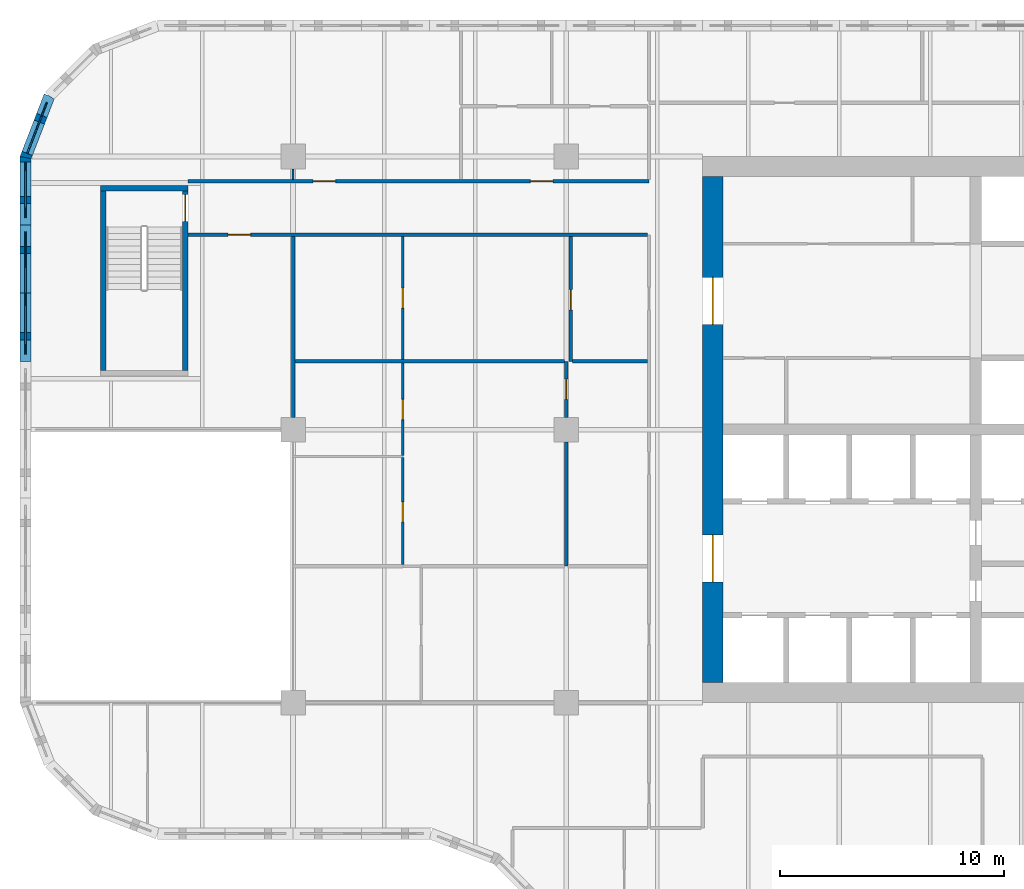
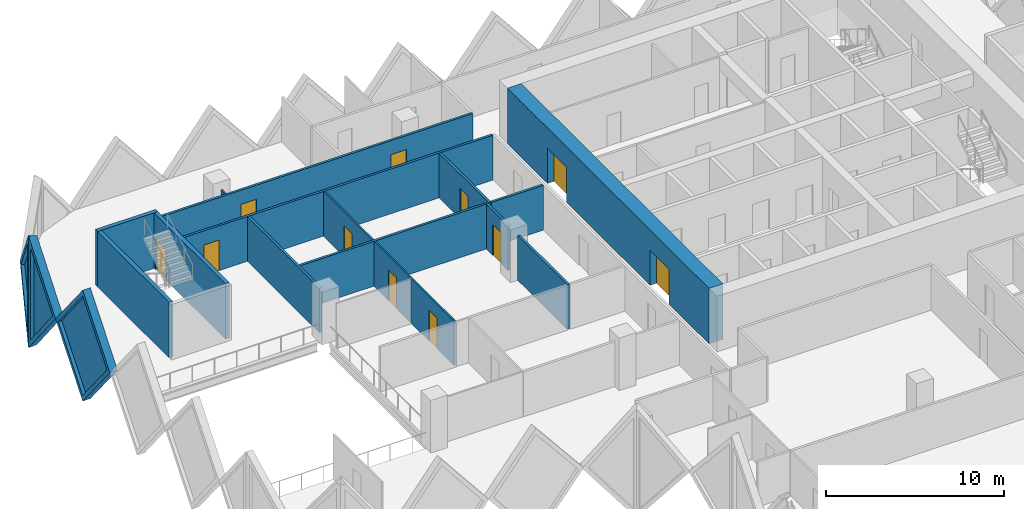
# One storey, part 8 of 19: 19 walls, 11 doors, 3 plates, 14 openings.
"""IFC4 building model written with IfcOpenShell, lengths in metres."""

from ifc_helpers import new_model, si_unit, direction, frame, frame_2d, origin, place, context, subcontext, project, spatial, polyline, rectangle, outline, extrude, faceted_brep, source, transform, mapped, material, layer, layer_set, type_object, element, fill, save


model = new_model("IFC4")

# Units and contexts
model_context = context("Model", 3, precision=1e-05, world=origin(), true_north=direction((0.0, 1.0)))
body_context = subcontext(model_context, "Body", "Model", "MODEL_VIEW")
ifc_project = project(units=[si_unit("LENGTHUNIT", "METRE"), si_unit("AREAUNIT", "SQUARE_METRE"), si_unit("VOLUMEUNIT", "CUBIC_METRE"), si_unit("PLANEANGLEUNIT", "RADIAN"), si_unit("MASSUNIT", "GRAM", prefix="KILO")], contexts=[model_context])

# Site, building, storey
site_placement = place(None, origin())
site = spatial("IfcSite", under=ifc_project, at=site_placement, CompositionType="ELEMENT")
building_placement = place(site_placement, origin())
building = spatial("IfcBuilding", under=site, at=building_placement, Name="Tessera Gate Towers", CompositionType="ELEMENT")
storey_placement = place(building_placement, frame((0.0, 0.0, 29.60009765625)))
storey = spatial("IfcBuildingStorey", under=building, at=storey_placement, Name="L06", CompositionType="ELEMENT", Elevation=29.60009765625)

# Walls
ifc_material_1 = material(Name="Concrete C40/50", Category="concrete")
ifc_layer_1 = layer(ifc_material_1, 0.25)
ifc_layer_set_1 = layer_set([ifc_layer_1], Name="CORE ENCLOSURE WALL 250")
wall_type_1 = type_object("IfcWallType", Name="CORE ENCLOSURE WALL 250", PredefinedType="SOLIDWALL", material=ifc_layer_set_1)
wall_1_placement = place(storey_placement, frame((3.72509765625, 39.25, 0.0), z_axis=(0.0, 0.0, 1.0), x_axis=(0.0, 1.0, 0.0)))
element("IfcWall", 1, at=wall_1_placement, inside=storey, type_object=wall_type_1, Name="L06 ST3 enclosure wall", PredefinedType="SOLIDWALL", context=body_context, shape_type="SweptSolid", body=[
    extrude(rectangle(XDim=8.0, YDim=0.25, at=frame_2d((4.0, 0.0))), origin(), (0.0, 0.0, 1.0), 3.7998046875),
])
wall_2_placement = place(storey_placement, frame((3.60009765625, 47.375, 0.0), z_axis=(0.0, 0.0, 1.0), x_axis=(1.0, 0.0, 0.0)))
element("IfcWall", 2, at=wall_2_placement, inside=storey, type_object=wall_type_1, Name="L06 ST3 enclosure wall", PredefinedType="SOLIDWALL", context=body_context, shape_type="SweptSolid", body=[
    extrude(rectangle(XDim=3.89990234375, YDim=0.25, at=frame_2d((1.949951171875, 0.0))), origin(), (0.0, 0.0, 1.0), 3.7998046875),
])

# Wall, opening, door
wall_3_placement = place(storey_placement, frame((7.375, 47.25, 0.0), z_axis=(0.0, 0.0, 1.0), x_axis=(0.0, -1.0, 0.0)))
wall_3 = element("IfcWall", 3, at=wall_3_placement, inside=storey, type_object=wall_type_1, Name="L06 ST3 enclosure wall", PredefinedType="SOLIDWALL", context=body_context, shape_type="SweptSolid", body=[
    extrude(rectangle(XDim=8.0, YDim=0.25, at=frame_2d((4.0, 0.0))), origin(), (0.0, 0.0, 1.0), 3.7998046875),
])
shared_shape_1 = source(origin(), body_context, "Body", "SweptSolid", [
    extrude(rectangle(XDim=1.199951171875, YDim=2.10009765625, at=frame_2d((0.60009765625, 1.050048828125))), frame((0.0, 0.135009765625, 0.0), z_axis=(0.0, -1.0, 0.0), x_axis=(1.0, 0.0, 0.0)), (0.0, 0.0, 1.0), 0.27001953125),
])
opening_1_placement = place(wall_3_placement, frame((0.14990234375, 0.0, 0.0)))
opening_1 = element("IfcOpeningElement", 4, at=opening_1_placement, cuts=wall_3, Name="Opening SD-ST3-1", PredefinedType="OPENING", context=body_context, shape_type="MappedRepresentation", body=[
    mapped(shared_shape_1, transform((0.0, 0.0, 0.0), scale=1.0)),
])
ifc_material_2 = material(Name="Hollow steel fire door", Category="steel")
door_type_1 = type_object("IfcDoorType", Name="CORE DOOR SD 1200x2100", OperationType="NOTDEFINED", PredefinedType="DOOR", material=ifc_material_2)
shared_shape_2 = source(origin(), body_context, "Body", "SweptSolid", [
    extrude(rectangle(XDim=1.199951171875, YDim=2.10009765625, at=frame_2d((0.60009765625, 1.050048828125))), frame((0.0, 0.02490234375, 0.0), z_axis=(0.0, -1.0, 0.0), x_axis=(1.0, 0.0, 0.0)), (0.0, 0.0, 1.0), 0.050048828125),
])
door_1_placement = place(opening_1_placement, origin())
door_1 = element("IfcDoor", 5, at=door_1_placement, inside=storey, type_object=door_type_1, Name="Stair door", OperationType="SINGLE_SWING_LEFT", OverallHeight=2.10009765625, OverallWidth=1.199951171875, PredefinedType="DOOR", context=body_context, shape_type="MappedRepresentation", body=[
    mapped(shared_shape_2, transform((0.0, 0.0, 0.0), scale=1.0)),
])
fill(opening_1, door_1)

# Wall, openings, doors
ifc_material_3 = material(Name="Concrete C70/85", Category="concrete")
ifc_layer_2 = layer(ifc_material_3, 0.89990234375)
ifc_layer_set_2 = layer_set([ifc_layer_2], Name="CORE SHEAR WALL 900 C70/85")
wall_type_2 = type_object("IfcWallType", Name="CORE SHEAR WALL 900 C70/85", PredefinedType="SHEAR", material=ifc_layer_set_2)
wall_4_placement = place(storey_placement, frame((30.949951171875, 25.300048828125, 0.0), z_axis=(0.0, 0.0, 1.0), x_axis=(0.0, 1.0, 0.0)))
wall_4 = element("IfcWall", 6, at=wall_4_placement, inside=storey, type_object=wall_type_2, Name="Core wall W L06", PredefinedType="SHEAR", context=body_context, shape_type="SweptSolid", body=[
    extrude(rectangle(XDim=22.599853515625, YDim=0.89990234375, at=frame_2d((11.2998046875, 0.0))), origin(), (0.0, 0.0, 1.0), 3.7998046875),
])
shared_shape_3 = source(origin(), body_context, "Body", "SweptSolid", [
    extrude(rectangle(XDim=2.10009765625, YDim=2.39990234375, at=frame_2d((1.050048828125, 1.199951171875))), frame((0.0, 0.4599609375, 0.0), z_axis=(0.0, -1.0, 0.0), x_axis=(1.0, 0.0, 0.0)), (0.0, 0.0, 1.0), 0.919921875),
])
opening_2_placement = place(wall_4_placement, frame((4.5, 0.0, 0.0)))
opening_2 = element("IfcOpeningElement", 7, at=opening_2_placement, cuts=wall_4, Name="Opening DD-T1-06-02", PredefinedType="OPENING", context=body_context, shape_type="MappedRepresentation", body=[
    mapped(shared_shape_3, transform((0.0, 0.0, 0.0), scale=1.0)),
])
opening_3_placement = place(wall_4_placement, frame((16.0, 0.0, 0.0)))
opening_3 = element("IfcOpeningElement", 8, at=opening_3_placement, cuts=wall_4, Name="Opening DD-T1-06-03", PredefinedType="OPENING", context=body_context, shape_type="MappedRepresentation", body=[
    mapped(shared_shape_3, transform((0.0, 0.0, 0.0), scale=1.0)),
])
ifc_material_4 = material(Name="Hollow steel fire door", Category="steel")
door_type_2 = type_object("IfcDoorType", Name="CORE DOOR DD 2100x2400", OperationType="NOTDEFINED", PredefinedType="DOOR", material=ifc_material_4)
shared_shape_4 = source(origin(), body_context, "Body", "SweptSolid", [
    extrude(rectangle(XDim=2.10009765625, YDim=2.39990234375, at=frame_2d((1.050048828125, 1.199951171875))), frame((0.0, 0.02490234375, 0.0), z_axis=(0.0, -1.0, 0.0), x_axis=(1.0, 0.0, 0.0)), (0.0, 0.0, 1.0), 0.050048828125),
])
door_2_placement = place(opening_2_placement, origin())
door_2 = element("IfcDoor", 9, at=door_2_placement, inside=storey, type_object=door_type_2, Name="Core entrance door", OperationType="DOUBLE_DOOR_SINGLE_SWING", OverallHeight=2.39990234375, OverallWidth=2.10009765625, PredefinedType="DOOR", context=body_context, shape_type="MappedRepresentation", body=[
    mapped(shared_shape_4, transform((0.0, 0.0, 0.0), scale=1.0)),
])
fill(opening_2, door_2)
door_3_placement = place(opening_3_placement, origin())
door_3 = element("IfcDoor", 10, at=door_3_placement, inside=storey, type_object=door_type_2, Name="Core entrance door", OperationType="DOUBLE_DOOR_SINGLE_SWING", OverallHeight=2.39990234375, OverallWidth=2.10009765625, PredefinedType="DOOR", context=body_context, shape_type="MappedRepresentation", body=[
    mapped(shared_shape_4, transform((0.0, 0.0, 0.0), scale=1.0)),
])
fill(opening_3, door_3)

# Wall, opening, door
ifc_material_5 = material(Name="Gypsum board on steel studs, mineral wool", Category="steel")
ifc_layer_3 = layer(ifc_material_5, 0.14990234375)
ifc_layer_set_3 = layer_set([ifc_layer_3], Name="CORRIDOR WALL 150")
wall_type_3 = type_object("IfcWallType", Name="CORRIDOR WALL 150", PredefinedType="PARTITIONING", material=ifc_layer_set_3)
wall_5_placement = place(storey_placement, frame((28.02392578125, 45.300048828125, 0.0), z_axis=(0.0, 0.0, 1.0), x_axis=(-1.0, 0.0, 0.0)))
wall_5 = element("IfcWall", 11, at=wall_5_placement, inside=storey, type_object=wall_type_3, Name="T1-L06-PW-046", PredefinedType="PARTITIONING", context=body_context, shape_type="SweptSolid", body=[
    extrude(rectangle(XDim=20.52392578125, YDim=0.14990234375, at=frame_2d((10.261962890625, 0.0))), origin(), (0.0, 0.0, 1.0), 3.06689453125),
])
shared_shape_5 = source(origin(), body_context, "Body", "SweptSolid", [
    extrude(rectangle(XDim=1.0, YDim=2.10009765625, at=frame_2d((0.5, 1.050048828125))), frame((0.0, 0.0849609375, 0.0), z_axis=(0.0, -1.0, 0.0), x_axis=(1.0, 0.0, 0.0)), (0.0, 0.0, 1.0), 0.169921875),
])
opening_4_placement = place(wall_5_placement, frame((17.72412109375, 0.0, 0.0)))
opening_4 = element("IfcOpeningElement", 12, at=opening_4_placement, cuts=wall_5, Name="Opening D2100FD60-A02-01", PredefinedType="OPENING", context=body_context, shape_type="MappedRepresentation", body=[
    mapped(shared_shape_5, transform((0.0, 0.0, 0.0), scale=1.0)),
])
ifc_material_6 = material(Name="Timber door leaf in steel frame", Category="steel")
door_type_3 = type_object("IfcDoorType", Name="TENANCY ENTRANCE DOOR 1000 FD60", OperationType="NOTDEFINED", PredefinedType="DOOR", material=ifc_material_6)
shared_shape_6 = source(origin(), body_context, "Body", "SweptSolid", [
    extrude(rectangle(XDim=1.0, YDim=2.10009765625, at=frame_2d((0.5, 1.050048828125))), frame((0.0, 0.02490234375, 0.0), z_axis=(0.0, -1.0, 0.0), x_axis=(1.0, 0.0, 0.0)), (0.0, 0.0, 1.0), 0.050048828125),
])
door_4_placement = place(opening_4_placement, origin())
door_4 = element("IfcDoor", 13, at=door_4_placement, inside=storey, type_object=door_type_3, Name="T1-L06-PD-009", OperationType="SINGLE_SWING_RIGHT", OverallHeight=2.10009765625, OverallWidth=1.0, PredefinedType="DOOR", context=body_context, shape_type="MappedRepresentation", body=[
    mapped(shared_shape_6, transform((0.0, 0.0, 0.0), scale=1.0)),
])
fill(opening_4, door_4)

# Wall, openings, doors
wall_6_placement = place(storey_placement, frame((7.5, 47.699951171875, 0.0), z_axis=(0.0, 0.0, 1.0), x_axis=(1.0, 0.0, 0.0)))
wall_6 = element("IfcWall", 14, at=wall_6_placement, inside=storey, type_object=wall_type_3, Name="T1-L06-PW-047", PredefinedType="PARTITIONING", context=body_context, shape_type="SweptSolid", body=[
    extrude(rectangle(XDim=20.60009765625, YDim=0.14990234375, at=frame_2d((10.300048828125, 0.0))), origin(), (0.0, 0.0, 1.0), 3.06689453125),
])
opening_5_placement = place(wall_6_placement, frame((15.301025390625, 0.0, 0.0)))
opening_5 = element("IfcOpeningElement", 15, at=opening_5_placement, cuts=wall_6, Name="Opening D2100FD60-A02-04", PredefinedType="OPENING", context=body_context, shape_type="MappedRepresentation", body=[
    mapped(shared_shape_5, transform((0.0, 0.0, 0.0), scale=1.0)),
])
opening_6_placement = place(wall_6_placement, frame((5.60009765625, 0.0, 0.0)))
opening_6 = element("IfcOpeningElement", 16, at=opening_6_placement, cuts=wall_6, Name="Opening D2100FD60-A02-06", PredefinedType="OPENING", context=body_context, shape_type="MappedRepresentation", body=[
    mapped(shared_shape_5, transform((0.0, 0.0, 0.0), scale=1.0)),
])
door_5_placement = place(opening_5_placement, origin())
door_5 = element("IfcDoor", 17, at=door_5_placement, inside=storey, type_object=door_type_3, Name="T1-L06-PD-024", OperationType="SINGLE_SWING_LEFT", OverallHeight=2.10009765625, OverallWidth=1.0, PredefinedType="DOOR", context=body_context, shape_type="MappedRepresentation", body=[
    mapped(shared_shape_6, transform((0.0, 0.0, 0.0), scale=1.0)),
])
fill(opening_5, door_5)
door_6_placement = place(opening_6_placement, origin())
door_6 = element("IfcDoor", 18, at=door_6_placement, inside=storey, type_object=door_type_3, Name="T1-L06-PD-029", OperationType="SINGLE_SWING_LEFT", OverallHeight=2.10009765625, OverallWidth=1.0, PredefinedType="DOOR", context=body_context, shape_type="MappedRepresentation", body=[
    mapped(shared_shape_6, transform((0.0, 0.0, 0.0), scale=1.0)),
])
fill(opening_6, door_6)

# Wall, opening, door
ifc_material_7 = material(Name="Gypsum board on steel studs", Category="steel")
ifc_layer_4 = layer(ifc_material_7, 0.10009765625)
ifc_layer_set_4 = layer_set([ifc_layer_4], Name="PARTITION 100")
wall_type_4 = type_object("IfcWallType", Name="PARTITION 100", PredefinedType="PARTITIONING", material=ifc_layer_set_4)
wall_7_placement = place(storey_placement, frame((17.10009765625, 30.575927734375, 0.0), z_axis=(0.0, 0.0, 1.0), x_axis=(0.0, 1.0, 0.0)))
wall_7 = element("IfcWall", 19, at=wall_7_placement, inside=storey, type_object=wall_type_4, Name="T1-L06-PW-037", PredefinedType="PARTITIONING", context=body_context, shape_type="SweptSolid", body=[
    extrude(rectangle(XDim=4.768310546875, YDim=0.10009765625, at=frame_2d((2.38427734375, 0.0))), origin(), (0.0, 0.0, 1.0), 3.06689453125),
])
shared_shape_7 = source(origin(), body_context, "Body", "SweptSolid", [
    extrude(rectangle(XDim=0.89990234375, YDim=2.10009765625, at=frame_2d((0.449951171875, 1.050048828125))), frame((0.0, 0.06005859375, 0.0), z_axis=(0.0, -1.0, 0.0), x_axis=(1.0, 0.0, 0.0)), (0.0, 0.0, 1.0), 0.1201171875),
])
opening_7_placement = place(wall_7_placement, frame((1.89990234375, 0.0, 0.0)))
opening_7 = element("IfcOpeningElement", 20, at=opening_7_placement, cuts=wall_7, Name="Opening D190-A02-10", PredefinedType="OPENING", context=body_context, shape_type="MappedRepresentation", body=[
    mapped(shared_shape_7, transform((0.0, 0.0, 0.0), scale=1.0)),
])
ifc_material_8 = material(Name="Timber door leaf in steel frame", Category="steel")
door_type_4 = type_object("IfcDoorType", Name="INTERNAL DOOR 900 NOT RATED", OperationType="NOTDEFINED", PredefinedType="DOOR", material=ifc_material_8)
shared_shape_8 = source(origin(), body_context, "Body", "SweptSolid", [
    extrude(rectangle(XDim=0.89990234375, YDim=2.10009765625, at=frame_2d((0.449951171875, 1.050048828125))), frame((0.0, 0.02490234375, 0.0), z_axis=(0.0, -1.0, 0.0), x_axis=(1.0, 0.0, 0.0)), (0.0, 0.0, 1.0), 0.050048828125),
])
door_7_placement = place(opening_7_placement, origin())
door_7 = element("IfcDoor", 21, at=door_7_placement, inside=storey, type_object=door_type_4, Name="T1-L06-PD-012", OperationType="SINGLE_SWING_LEFT", OverallHeight=2.10009765625, OverallWidth=0.89990234375, PredefinedType="DOOR", context=body_context, shape_type="MappedRepresentation", body=[
    mapped(shared_shape_8, transform((0.0, 0.0, 0.0), scale=1.0)),
])
fill(opening_7, door_7)

wall_8_placement = place(storey_placement, frame((17.10009765625, 35.4462890625, 0.0), z_axis=(0.0, 0.0, 1.0), x_axis=(0.0, 1.0, 0.0)))
wall_8 = element("IfcWall", 22, at=wall_8_placement, inside=storey, type_object=wall_type_4, Name="T1-L06-PW-039", PredefinedType="PARTITIONING", context=body_context, shape_type="SweptSolid", body=[
    extrude(rectangle(XDim=4.127685546875, YDim=0.10009765625, at=frame_2d((2.06396484375, 0.0))), origin(), (0.0, 0.0, 1.0), 3.06689453125),
])
opening_8_placement = place(wall_8_placement, frame((1.60009765625, 0.0, 0.0)))
opening_8 = element("IfcOpeningElement", 23, at=opening_8_placement, cuts=wall_8, Name="Opening D190-A02-03", PredefinedType="OPENING", context=body_context, shape_type="MappedRepresentation", body=[
    mapped(shared_shape_7, transform((0.0, 0.0, 0.0), scale=1.0)),
])
door_8_placement = place(opening_8_placement, origin())
door_8 = element("IfcDoor", 24, at=door_8_placement, inside=storey, type_object=door_type_4, Name="T1-L06-PD-004", OperationType="SINGLE_SWING_LEFT", OverallHeight=2.10009765625, OverallWidth=0.89990234375, PredefinedType="DOOR", context=body_context, shape_type="MappedRepresentation", body=[
    mapped(shared_shape_8, transform((0.0, 0.0, 0.0), scale=1.0)),
])
fill(opening_8, door_8)

wall_9_placement = place(storey_placement, frame((17.10009765625, 39.72607421875, 0.0), z_axis=(0.0, 0.0, 1.0), x_axis=(0.0, 1.0, 0.0)))
wall_9 = element("IfcWall", 25, at=wall_9_placement, inside=storey, type_object=wall_type_4, Name="T1-L06-PW-045", PredefinedType="PARTITIONING", context=body_context, shape_type="SweptSolid", body=[
    extrude(rectangle(XDim=5.498046875, YDim=0.10009765625, at=frame_2d((2.7490234375, 0.0))), origin(), (0.0, 0.0, 1.0), 3.06689453125),
])
opening_9_placement = place(wall_9_placement, frame((2.300048828125, 0.0, 0.0)))
opening_9 = element("IfcOpeningElement", 26, at=opening_9_placement, cuts=wall_9, Name="Opening D190-A02-11", PredefinedType="OPENING", context=body_context, shape_type="MappedRepresentation", body=[
    mapped(shared_shape_7, transform((0.0, 0.0, 0.0), scale=1.0)),
])
door_9_placement = place(opening_9_placement, origin())
door_9 = element("IfcDoor", 27, at=door_9_placement, inside=storey, type_object=door_type_4, Name="T1-L06-PD-015", OperationType="SINGLE_SWING_LEFT", OverallHeight=2.10009765625, OverallWidth=0.89990234375, PredefinedType="DOOR", context=body_context, shape_type="MappedRepresentation", body=[
    mapped(shared_shape_8, transform((0.0, 0.0, 0.0), scale=1.0)),
])
fill(opening_9, door_9)

# Walls
wall_10_placement = place(storey_placement, frame((12.199951171875, 48.25, 0.0), z_axis=(0.0, 0.0, 1.0), x_axis=(0.0, -1.0, 0.0)))
element("IfcWall", 28, at=wall_10_placement, inside=storey, type_object=wall_type_4, Name="T1-L06-PW-050", PredefinedType="PARTITIONING", context=body_context, shape_type="SweptSolid", body=[
    extrude(rectangle(XDim=0.47509765625, YDim=0.10009765625, at=frame_2d((0.237548828125, 0.0))), origin(), (0.0, 0.0, 1.0), 3.06689453125),
])
ifc_material_9 = material(Name="Gypsum board on steel studs, mineral wool", Category="steel")
ifc_layer_5 = layer(ifc_material_9, 0.14990234375)
ifc_layer_set_5 = layer_set([ifc_layer_5], Name="TENANCY WALL 150")
wall_type_5 = type_object("IfcWallType", Name="TENANCY WALL 150", PredefinedType="PARTITIONING", material=ifc_layer_set_5)
wall_11_placement = place(storey_placement, frame((24.39990234375, 30.5, 0.0), z_axis=(0.0, 0.0, 1.0), x_axis=(0.0, 1.0, 0.0)))
element("IfcWall", 29, at=wall_11_placement, inside=storey, type_object=wall_type_5, Name="T1-L06-PW-035", PredefinedType="PARTITIONING", context=body_context, shape_type="SweptSolid", body=[
    extrude(rectangle(XDim=5.549072265625, YDim=0.14990234375, at=frame_2d((2.7744140625, 0.0))), origin(), (0.0, 0.0, 1.0), 3.06689453125),
])
wall_12_placement = place(storey_placement, frame((12.199951171875, 37.15087890625, 0.0), z_axis=(0.0, 0.0, 1.0), x_axis=(0.0, 1.0, 0.0)))
element("IfcWall", 30, at=wall_12_placement, inside=storey, type_object=wall_type_5, Name="T1-L06-PW-040", PredefinedType="PARTITIONING", context=body_context, shape_type="SweptSolid", body=[
    extrude(rectangle(XDim=8.0732421875, YDim=0.14990234375, at=frame_2d((4.03662109375, 0.0))), origin(), (0.0, 0.0, 1.0), 3.06689453125),
])

# Wall, opening, door
wall_13_placement = place(storey_placement, frame((24.39990234375, 37.15087890625, 0.0), z_axis=(0.0, 0.0, 1.0), x_axis=(0.0, 1.0, 0.0)))
wall_13 = element("IfcWall", 31, at=wall_13_placement, inside=storey, type_object=wall_type_5, Name="T1-L06-PW-041", PredefinedType="PARTITIONING", context=body_context, shape_type="SweptSolid", body=[
    extrude(rectangle(XDim=2.4990234375, YDim=0.14990234375, at=frame_2d((1.24951171875, 0.0))), origin(), (0.0, 0.0, 1.0), 3.06689453125),
])
shared_shape_9 = source(origin(), body_context, "Body", "SweptSolid", [
    extrude(rectangle(XDim=0.89990234375, YDim=2.10009765625, at=frame_2d((0.449951171875, 1.050048828125))), frame((0.0, 0.0849609375, 0.0), z_axis=(0.0, -1.0, 0.0), x_axis=(1.0, 0.0, 0.0)), (0.0, 0.0, 1.0), 0.169921875),
])
opening_10_placement = place(wall_13_placement, frame((0.800048828125, 0.0, 0.0)))
opening_10 = element("IfcOpeningElement", 32, at=opening_10_placement, cuts=wall_13, Name="Opening D190-A02-14", PredefinedType="OPENING", context=body_context, shape_type="MappedRepresentation", body=[
    mapped(shared_shape_9, transform((0.0, 0.0, 0.0), scale=1.0)),
])
door_10_placement = place(opening_10_placement, origin())
door_10 = element("IfcDoor", 33, at=door_10_placement, inside=storey, type_object=door_type_4, Name="T1-L06-PD-023", OperationType="SINGLE_SWING_LEFT", OverallHeight=2.10009765625, OverallWidth=0.89990234375, PredefinedType="DOOR", context=body_context, shape_type="MappedRepresentation", body=[
    mapped(shared_shape_8, transform((0.0, 0.0, 0.0), scale=1.0)),
])
fill(opening_10, door_10)

# Wall
wall_14_placement = place(storey_placement, frame((12.27587890625, 39.64990234375, 0.0), z_axis=(0.0, 0.0, 1.0), x_axis=(1.0, 0.0, 0.0)))
element("IfcWall", 34, at=wall_14_placement, inside=storey, type_object=wall_type_5, Name="T1-L06-PW-042", PredefinedType="PARTITIONING", context=body_context, shape_type="SweptSolid", body=[
    extrude(rectangle(XDim=12.048095703125, YDim=0.14990234375, at=frame_2d((6.02392578125, 0.0))), origin(), (0.0, 0.0, 1.0), 3.06689453125),
])

# Wall, opening, door
wall_15_placement = place(storey_placement, frame((24.60009765625, 39.64990234375, 0.0), z_axis=(0.0, 0.0, 1.0), x_axis=(0.0, 1.0, 0.0)))
wall_15 = element("IfcWall", 35, at=wall_15_placement, inside=storey, type_object=wall_type_5, Name="T1-L06-PW-043", PredefinedType="PARTITIONING", context=body_context, shape_type="SweptSolid", body=[
    extrude(rectangle(XDim=5.57421875, YDim=0.14990234375, at=frame_2d((2.787109375, 0.0))), origin(), (0.0, 0.0, 1.0), 3.06689453125),
])
opening_11_placement = place(wall_15_placement, frame((2.300048828125, 0.0, 0.0)))
opening_11 = element("IfcOpeningElement", 36, at=opening_11_placement, cuts=wall_15, Name="Opening D190-A02-12", PredefinedType="OPENING", context=body_context, shape_type="MappedRepresentation", body=[
    mapped(shared_shape_9, transform((0.0, 0.0, 0.0), scale=1.0)),
])
door_11_placement = place(opening_11_placement, origin())
door_11 = element("IfcDoor", 37, at=door_11_placement, inside=storey, type_object=door_type_4, Name="T1-L06-PD-016", OperationType="SINGLE_SWING_LEFT", OverallHeight=2.10009765625, OverallWidth=0.89990234375, PredefinedType="DOOR", context=body_context, shape_type="MappedRepresentation", body=[
    mapped(shared_shape_8, transform((0.0, 0.0, 0.0), scale=1.0)),
])
fill(opening_11, door_11)

# Wall
wall_16_placement = place(storey_placement, frame((24.676025390625, 39.64990234375, 0.0), z_axis=(0.0, 0.0, 1.0), x_axis=(1.0, 0.0, 0.0)))
element("IfcWall", 38, at=wall_16_placement, inside=storey, type_object=wall_type_5, Name="T1-L06-PW-044", PredefinedType="PARTITIONING", context=body_context, shape_type="SweptSolid", body=[
    extrude(rectangle(XDim=3.347900390625, YDim=0.14990234375, at=frame_2d((1.673828125, 0.0))), origin(), (0.0, 0.0, 1.0), 3.06689453125),
])

# Wall, opening, plate
ifc_material_10 = material(Name="Precast concrete C60/75 white", Category="concrete")
ifc_layer_6 = layer(ifc_material_10, 0.5)
ifc_layer_set_6 = layer_set([ifc_layer_6], Name="TS1 tessera")
wall_type_6 = type_object("IfcWallType", Name="TS1 tessera", PredefinedType="SOLIDWALL", material=ifc_layer_set_6)
shared_shape_10 = source(origin(), body_context, "Body", "SweptSolid", [
    extrude(outline(polyline([(3.050048828125, 0.0), (6.10009765625, 3.800048828125), (3.050048828125, 7.599853515625), (0.0, 3.800048828125), (3.050048828125, 0.0)])), frame((0.0, 0.25, 0.0), z_axis=(0.0, -1.0, 0.0), x_axis=(1.0, 0.0, 0.0)), (0.0, 0.0, 1.0), 0.5),
])
wall_17_placement = place(storey_placement, frame((0.25, 45.75, -3.800048828125), z_axis=(0.0, 0.0, 1.0), x_axis=(0.0, -1.0, 0.0)))
wall_17 = element("IfcWall", 39, at=wall_17_placement, inside=storey, type_object=wall_type_6, Name="Precast tessera T1 TS1-0041", PredefinedType="SOLIDWALL", context=body_context, shape_type="MappedRepresentation", body=[
    mapped(shared_shape_10, transform((0.0, 0.0, 0.0), scale=1.0)),
])
shared_shape_11 = source(origin(), body_context, "Body", "SweptSolid", [
    extrude(outline(polyline([(3.050048828125, 0.3994140625), (5.779541015625, 3.800048828125), (3.050048828125, 7.200439453125), (0.320556640625, 3.800048828125), (3.050048828125, 0.3994140625)])), frame((0.0, 0.260009765625, 0.0), z_axis=(0.0, -1.0, 0.0), x_axis=(1.0, 0.0, 0.0)), (0.0, 0.0, 1.0), 0.52001953125),
])
opening_12_placement = place(wall_17_placement, origin())
opening_12 = element("IfcOpeningElement", 40, at=opening_12_placement, cuts=wall_17, Name="Opening T1-PL2-0077", PredefinedType="OPENING", context=body_context, shape_type="MappedRepresentation", body=[
    mapped(shared_shape_11, transform((0.0, 0.0, 0.0), scale=1.0)),
])
ifc_material_11 = material(Name="Low-e laminated glass", Category="glass")
ifc_layer_7 = layer(ifc_material_11, 0.06005859375)
ifc_layer_set_7 = layer_set([ifc_layer_7], Name="PL2 rhombic pane")
plate_type = type_object("IfcPlateType", Name="PL2 rhombic pane", PredefinedType="SHEET", material=ifc_layer_set_7)
shared_shape_12 = source(origin(), body_context, "Body", "SweptSolid", [
    extrude(outline(polyline([(3.050048828125, 0.3994140625), (5.779541015625, 3.800048828125), (3.050048828125, 7.200439453125), (0.320556640625, 3.800048828125), (3.050048828125, 0.3994140625)])), frame((0.0, 0.030029296875, 0.0), z_axis=(0.0, -1.0, 0.0), x_axis=(1.0, 0.0, 0.0)), (0.0, 0.0, 1.0), 0.06005859375),
])
plate_1_placement = place(opening_12_placement, origin())
plate_1 = element("IfcPlate", 41, at=plate_1_placement, inside=storey, type_object=plate_type, Name="Glass pane T1 PL2-0077", PredefinedType="SHEET", context=body_context, shape_type="MappedRepresentation", body=[
    mapped(shared_shape_12, transform((0.0, 0.0, 0.0), scale=1.0)),
])
fill(opening_12, plate_1)

ifc_material_12 = material(Name="Precast concrete C60/75 white", Category="concrete")
ifc_layer_8 = layer(ifc_material_12, 0.5)
ifc_layer_set_8 = layer_set([ifc_layer_8], Name="TS3 corner tessera")
wall_type_7 = type_object("IfcWallType", Name="TS3 corner tessera", PredefinedType="SOLIDWALL", material=ifc_layer_set_8)
shared_shape_13 = source(origin(), body_context, "Body", "Brep", [
    faceted_brep([(0.046630859375, -0.25, 0.0), (3.050048828125, -0.25, 3.800048828125), (0.046630859375, -0.25, 7.599853515625), (0.0, -0.25, 7.539794921875), (0.0, -0.25, 0.06005859375), (0.09326171875, 0.25, 7.541015625), (3.050048828125, 0.25, 3.800048828125), (0.09326171875, 0.25, 0.058837890625), (0.046630859375, 0.0, 0.0), (0.046630859375, 0.0, 7.599853515625)], [[[0, 1, 2, 3, 4]], [[5, 6, 7]], [[7, 6, 1, 0, 8]], [[6, 5, 9, 2, 1]], [[3, 2, 9]], [[8, 0, 4]], [[7, 8, 4, 3, 9, 5]]]),
])
wall_18_placement = place(storey_placement, frame((0.25, 48.800048828125, -3.800048828125), z_axis=(0.0, 0.0, 1.0), x_axis=(0.0, -1.0, 0.0)))
wall_18 = element("IfcWall", 42, at=wall_18_placement, inside=storey, type_object=wall_type_7, Name="Precast corner tessera T1 TS3-0108", PredefinedType="SOLIDWALL", context=body_context, shape_type="MappedRepresentation", body=[
    mapped(shared_shape_13, transform((0.0, 0.0, 0.0), scale=1.0)),
])
shared_shape_14 = source(origin(), body_context, "Body", "SweptSolid", [
    extrude(outline(polyline([(0.24658203125, 0.65625), (2.7314453125, 3.800048828125), (0.24658203125, 6.94384765625), (0.24658203125, 0.65625)])), frame((0.0, 0.260009765625, 0.0), z_axis=(0.0, -1.0, 0.0), x_axis=(1.0, 0.0, 0.0)), (0.0, 0.0, 1.0), 0.52001953125),
])
opening_13_placement = place(wall_18_placement, origin())
opening_13 = element("IfcOpeningElement", 43, at=opening_13_placement, cuts=wall_18, Name="Opening T1-PL2-0076", PredefinedType="OPENING", context=body_context, shape_type="MappedRepresentation", body=[
    mapped(shared_shape_14, transform((0.0, 0.0, 0.0), scale=1.0)),
])
shared_shape_15 = source(origin(), body_context, "Body", "SweptSolid", [
    extrude(outline(polyline([(0.24658203125, 0.65625), (2.7314453125, 3.800048828125), (0.24658203125, 6.94384765625), (0.24658203125, 0.65625)])), frame((0.0, 0.030029296875, 0.0), z_axis=(0.0, -1.0, 0.0), x_axis=(1.0, 0.0, 0.0)), (0.0, 0.0, 1.0), 0.06005859375),
])
plate_2_placement = place(opening_13_placement, origin())
plate_2 = element("IfcPlate", 44, at=plate_2_placement, inside=storey, type_object=plate_type, Name="Glass pane T1 PL2-0076", PredefinedType="SHEET", context=body_context, shape_type="MappedRepresentation", body=[
    mapped(shared_shape_15, transform((0.0, 0.0, 0.0), scale=1.0)),
])
fill(opening_13, plate_2)

shared_shape_16 = source(origin(), body_context, "Body", "Brep", [
    faceted_brep([(2.950439453125, -0.25, 0.0), (2.9970703125, -0.25, 0.05908203125), (2.9970703125, -0.25, 7.540771484375), (2.950439453125, -0.25, 7.599853515625), (0.0, -0.25, 3.800048828125), (0.052978515625, 0.25, 3.8681640625), (2.904052734375, 0.25, 7.5400390625), (2.904052734375, 0.25, 0.059814453125), (0.052978515625, 0.25, 3.73193359375), (2.950439453125, 0.00048828125, 0.0), (2.950439453125, 0.00048828125, 7.599853515625), (0.0, 0.0, 3.800048828125)], [[[0, 1, 2, 3, 4]], [[5, 6, 7, 8]], [[1, 0, 9]], [[10, 3, 2]], [[6, 5, 11, 4, 3, 10]], [[8, 7, 9, 0, 4, 11]], [[8, 11, 5]], [[1, 9, 7, 6, 10, 2]]]),
])
wall_19_placement = place(storey_placement, frame((1.31201171875, 51.50634765625, -3.800048828125), z_axis=(0.0, 0.0, 1.0), x_axis=(-0.359944998003, -0.932973525033, 0.0)))
wall_19 = element("IfcWall", 45, at=wall_19_placement, inside=storey, type_object=wall_type_7, Name="Precast corner tessera T1 TS3-0107", PredefinedType="SOLIDWALL", context=body_context, shape_type="MappedRepresentation", body=[
    mapped(shared_shape_16, transform((0.0, 0.0, 0.0), scale=1.0)),
])
shared_shape_17 = source(origin(), body_context, "Body", "SweptSolid", [
    extrude(outline(polyline([(2.75048828125, 6.934814453125), (0.31640625, 3.800048828125), (2.75048828125, 0.665283203125), (2.75048828125, 6.934814453125)])), frame((0.0, 0.260009765625, 0.0), z_axis=(0.0, -1.0, 0.0), x_axis=(1.0, 0.0, 0.0)), (0.0, 0.0, 1.0), 0.52001953125),
])
opening_14_placement = place(wall_19_placement, origin())
opening_14 = element("IfcOpeningElement", 46, at=opening_14_placement, cuts=wall_19, Name="Opening T1-PL2-0075", PredefinedType="OPENING", context=body_context, shape_type="MappedRepresentation", body=[
    mapped(shared_shape_17, transform((0.0, 0.0, 0.0), scale=1.0)),
])
shared_shape_18 = source(origin(), body_context, "Body", "SweptSolid", [
    extrude(outline(polyline([(2.75048828125, 6.934814453125), (0.31640625, 3.800048828125), (2.75048828125, 0.665283203125), (2.75048828125, 6.934814453125)])), frame((0.0, 0.030029296875, 0.0), z_axis=(0.0, -1.0, 0.0), x_axis=(1.0, 0.0, 0.0)), (0.0, 0.0, 1.0), 0.06005859375),
])
plate_3_placement = place(opening_14_placement, origin())
plate_3 = element("IfcPlate", 47, at=plate_3_placement, inside=storey, type_object=plate_type, Name="Glass pane T1 PL2-0075", PredefinedType="SHEET", context=body_context, shape_type="MappedRepresentation", body=[
    mapped(shared_shape_18, transform((0.0, 0.0, 0.0), scale=1.0)),
])
fill(opening_14, plate_3)

save(model, "model.ifc")
